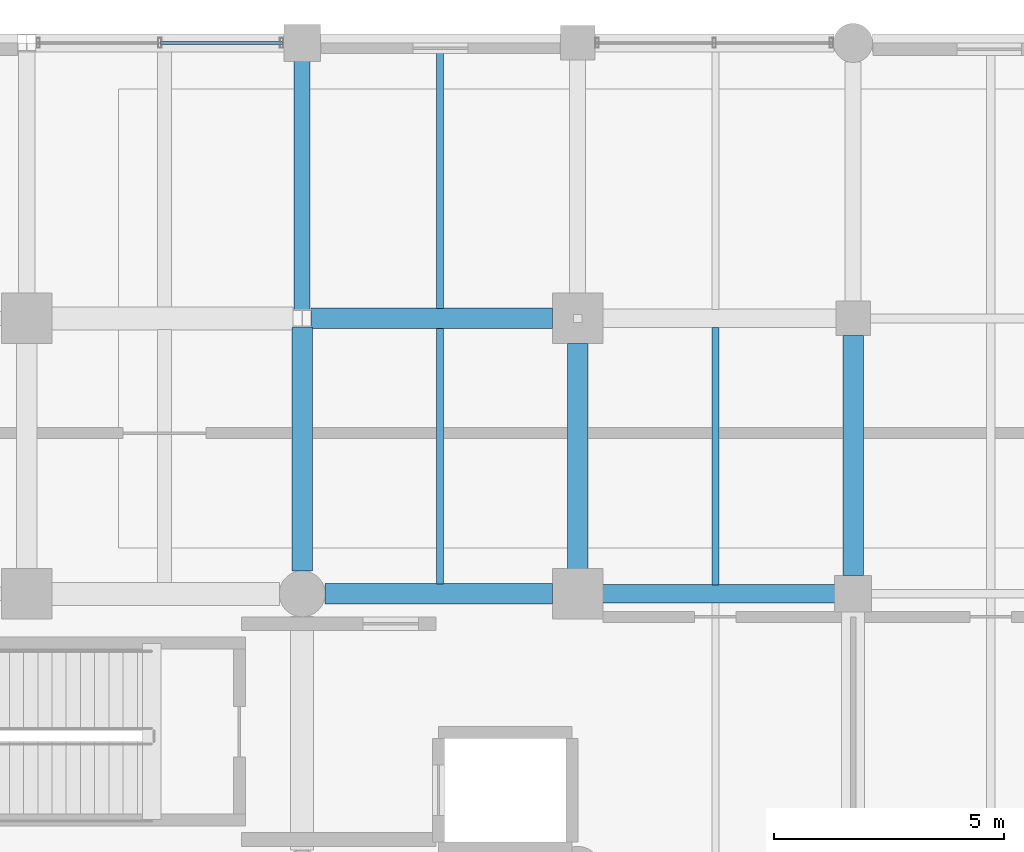
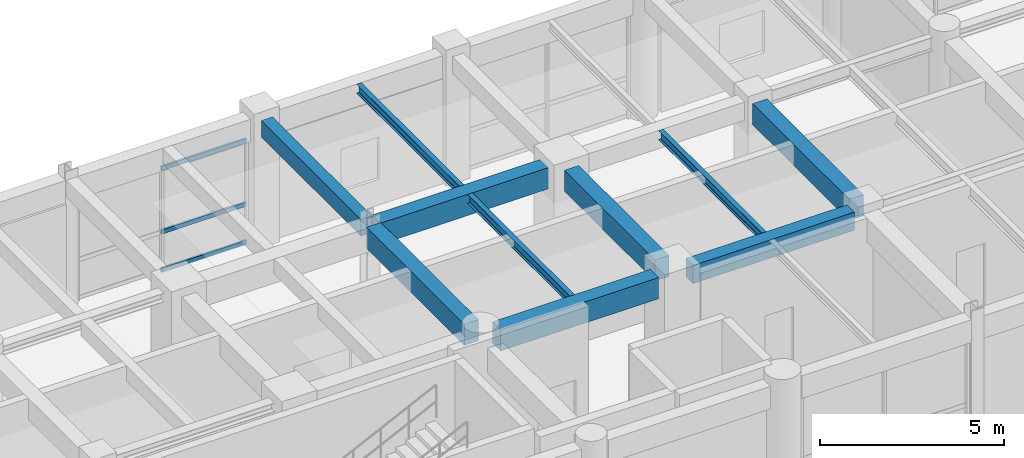
# One storey, part 54 of 133: 10 beams, 3 members, 1 element without a shape of its own.
"""IFC4 building model written with IfcOpenShell, lengths in metres."""

from ifc_helpers import new_model, si_unit, direction, frame, origin, origin_2d, place, context, subcontext, project, spatial, rectangle, hollow_rectangle, i_section, extrude, material, material_profile, profile_set, type_object, element, aggregate, save


model = new_model("IFC4")

# Units and contexts
model_context = context("Model", 3, precision=1e-05, world=origin(), true_north=direction((0.0, 1.0)))
body_context = subcontext(model_context, "Body", "Model", "MODEL_VIEW")
ifc_project = project(units=[si_unit("LENGTHUNIT", "METRE"), si_unit("AREAUNIT", "SQUARE_METRE"), si_unit("VOLUMEUNIT", "CUBIC_METRE"), si_unit("PLANEANGLEUNIT", "RADIAN"), si_unit("MASSUNIT", "GRAM", prefix="KILO"), si_unit("THERMODYNAMICTEMPERATUREUNIT", "KELVIN"), si_unit("POWERUNIT", "WATT")], contexts=[model_context])

# Site, building, storey
site_placement = place(None, origin())
site = spatial("IfcSite", under=ifc_project, at=site_placement, CompositionType="ELEMENT")
building_placement = place(site_placement, origin())
building = spatial("IfcBuilding", under=site, at=building_placement, Name="Phaisarnlok Congress Hotel", CompositionType="ELEMENT")
storey_placement = place(building_placement, frame((0.0, 0.0, 6.0)))
storey = spatial("IfcBuildingStorey", under=building, at=storey_placement, Name="L01", CompositionType="ELEMENT", Elevation=6.0)

# Beams
ifc_material_1 = material(Name="Concrete C40/50", Category="concrete")
ifc_material_profile_1 = material_profile(ifc_material_1, rectangle(XDim=0.35009765625, YDim=0.550048828125, at=origin_2d()), Name="RC 350x550")
ifc_profile_set_1 = profile_set([ifc_material_profile_1], Name="Concrete C40/50")
beam_type_1 = type_object("IfcBeamType", Name="BM-RC-350x550", PredefinedType="BEAM", material=ifc_profile_set_1)
beam_1_placement = place(storey_placement, frame((114.0, 120.194580078125, 3.945068359375), z_axis=(0.0, 1.0, 0.0), x_axis=(-1.0, 0.0, 0.0)))
element("IfcBeam", 1, at=beam_1_placement, inside=storey, type_object=beam_type_1, Name="Beam B-01", PredefinedType="BEAM", context=body_context, shape_type="SweptSolid", body=[
    extrude(rectangle(XDim=0.35009765625, YDim=0.550048828125, at=origin_2d()), origin(), (0.0, 0.0, 1.0), 5.410400390625),
])
ifc_material_profile_2 = material_profile(ifc_material_1, rectangle(XDim=0.39990234375, YDim=0.60009765625, at=origin_2d()), Name="RC 400x600")
ifc_profile_set_2 = profile_set([ifc_material_profile_2], Name="Concrete C40/50")
beam_type_2 = type_object("IfcBeamType", Name="BM-RC-400x600", PredefinedType="BEAM", material=ifc_profile_set_2)
beam_2_placement = place(storey_placement, frame((120.544921875, 114.0, 3.919921875), z_axis=(1.0, 0.0, 0.0), x_axis=(0.0, 1.0, 0.0)))
element("IfcBeam", 2, at=beam_2_placement, inside=storey, type_object=beam_type_2, Name="Beam B-02", PredefinedType="BEAM", context=body_context, shape_type="SweptSolid", body=[
    extrude(rectangle(XDim=0.39990234375, YDim=0.60009765625, at=origin_2d()), origin(), (0.0, 0.0, 1.0), 5.06005859375),
])
ifc_material_profile_3 = material_profile(ifc_material_1, rectangle(XDim=0.449951171875, YDim=0.699951171875, at=origin_2d()), Name="RC 450x700")
ifc_profile_set_3 = profile_set([ifc_material_profile_3], Name="Concrete C40/50")
beam_type_3 = type_object("IfcBeamType", Name="BM-RC-450x700", PredefinedType="BEAM", material=ifc_profile_set_3)
beam_3_placement = place(storey_placement, frame((114.4951171875, 114.0, 3.8701171875), z_axis=(1.0, 0.0, 0.0), x_axis=(0.0, 1.0, 0.0)))
element("IfcBeam", 3, at=beam_3_placement, inside=storey, type_object=beam_type_3, Name="Beam B-03", PredefinedType="BEAM", context=body_context, shape_type="SweptSolid", body=[
    extrude(rectangle(XDim=0.449951171875, YDim=0.699951171875, at=origin_2d()), origin(), (0.0, 0.0, 1.0), 4.9599609375),
])
beam_4_placement = place(storey_placement, frame((114.0, 114.4951171875, 3.8701171875), z_axis=(0.0, 1.0, 0.0), x_axis=(-1.0, 0.0, 0.0)))
element("IfcBeam", 4, at=beam_4_placement, inside=storey, type_object=beam_type_3, Name="Beam B-03", PredefinedType="BEAM", context=body_context, shape_type="SweptSolid", body=[
    extrude(rectangle(XDim=0.449951171875, YDim=0.699951171875, at=origin_2d()), origin(), (0.0, 0.0, 1.0), 5.310302734375),
])
beam_5_placement = place(storey_placement, frame((114.195556640625, 120.0, 3.8701171875), z_axis=(1.0, 0.0, 0.0), x_axis=(0.0, 1.0, 0.0)))
element("IfcBeam", 5, at=beam_5_placement, inside=storey, type_object=beam_type_3, Name="Beam B-03", PredefinedType="BEAM", context=body_context, shape_type="SweptSolid", body=[
    extrude(rectangle(XDim=0.449951171875, YDim=0.699951171875, at=origin_2d()), origin(), (0.0, 0.0, 1.0), 5.259521484375),
])
beam_6_placement = place(storey_placement, frame((120.0, 114.544921875, 3.8701171875), z_axis=(0.0, 1.0, 0.0), x_axis=(-1.0, 0.0, 0.0)))
element("IfcBeam", 6, at=beam_6_placement, inside=storey, type_object=beam_type_3, Name="Beam B-03", PredefinedType="BEAM", context=body_context, shape_type="SweptSolid", body=[
    extrude(rectangle(XDim=0.449951171875, YDim=0.699951171875, at=origin_2d()), origin(), (0.0, 0.0, 1.0), 4.91015625),
])
beam_7_placement = place(storey_placement, frame((126.0, 114.39501953125, 3.8701171875), z_axis=(0.0, 1.0, 0.0), x_axis=(-1.0, 0.0, 0.0)))
element("IfcBeam", 7, at=beam_7_placement, inside=storey, type_object=beam_type_3, Name="Beam B-03", PredefinedType="BEAM", context=body_context, shape_type="SweptSolid", body=[
    extrude(rectangle(XDim=0.449951171875, YDim=0.699951171875, at=origin_2d()), origin(), (0.0, 0.0, 1.0), 5.23486328125),
])

# Curtain wall, members
ifc_material_2 = material(Name="Thermally Broken Unitised Aluminium & Low-E Glazing", Category="aluminium")
curtain_wall_type = type_object("IfcCurtainWallType", Name="CW-UNIT-14", PredefinedType="NOTDEFINED", material=ifc_material_2)
curtain_wall_placement = place(storey_placement, origin())
curtain_wall = element("IfcCurtainWall", 8, at=curtain_wall_placement, inside=storey, type_object=curtain_wall_type, Name="Unitised curtain wall CW-14 (L01)", PredefinedType="NOTDEFINED")
ifc_material_3 = material(Name="Anodised Aluminium Alloy 6063-T6", Category="aluminium")
ifc_material_profile_4 = material_profile(ifc_material_3, hollow_rectangle(XDim=0.06494140625, YDim=0.139892578125, WallThickness=0.00390625, at=origin_2d()), Name="ALU-T 65x140x4")
ifc_profile_set_4 = profile_set([ifc_material_profile_4], Name="Anodised Aluminium Alloy 6063-T6")
member_type = type_object("IfcMemberType", Name="CWT-150", PredefinedType="USERDEFINED", material=ifc_profile_set_4)
member_1_placement = place(storey_placement, frame((113.574951171875, 126.0, 0.050048828125), z_axis=(-1.0, 0.0, 0.0), x_axis=(0.0, -1.0, 0.0)))
member_1 = element("IfcMember", 9, at=member_1_placement, type_object=member_type, Name="Curtain wall transom CWT-01", ObjectType="TRANSOM", PredefinedType="USERDEFINED", context=body_context, shape_type="SweptSolid", body=[
    extrude(hollow_rectangle(XDim=0.06494140625, YDim=0.139892578125, WallThickness=0.00390625, at=origin_2d()), origin(), (0.0, 0.0, 1.0), 2.65966796875),
])
member_2_placement = place(storey_placement, frame((113.574951171875, 126.0, 1.318603515625), z_axis=(-1.0, 0.0, 0.0), x_axis=(0.0, -1.0, 0.0)))
member_2 = element("IfcMember", 10, at=member_2_placement, type_object=member_type, Name="Curtain wall transom CWT-01", ObjectType="TRANSOM", PredefinedType="USERDEFINED", context=body_context, shape_type="SweptSolid", body=[
    extrude(hollow_rectangle(XDim=0.06494140625, YDim=0.139892578125, WallThickness=0.00390625, at=origin_2d()), origin(), (0.0, 0.0, 1.0), 2.65966796875),
])
member_3_placement = place(storey_placement, frame((113.574951171875, 126.0, 3.419921875), z_axis=(-1.0, 0.0, 0.0), x_axis=(0.0, -1.0, 0.0)))
member_3 = element("IfcMember", 11, at=member_3_placement, type_object=member_type, Name="Curtain wall transom CWT-01", ObjectType="TRANSOM", PredefinedType="USERDEFINED", context=body_context, shape_type="SweptSolid", body=[
    extrude(hollow_rectangle(XDim=0.06494140625, YDim=0.139892578125, WallThickness=0.00390625, at=origin_2d()), origin(), (0.0, 0.0, 1.0), 2.65966796875),
])
aggregate(curtain_wall, [member_1, member_2, member_3])

# Beams
ifc_material_4 = material(Name="Steel S355", Category="steel")
ifc_material_profile_5 = material_profile(ifc_material_4, i_section(OverallWidth=0.14990234375, OverallDepth=0.300048828125, WebThickness=0.007080078125, FlangeThickness=0.0107421875, FilletRadius=0.014892578125, at=origin_2d()), Name="IPE 300")
ifc_profile_set_5 = profile_set([ifc_material_profile_5], Name="Steel S355")
beam_type_4 = type_object("IfcBeamType", Name="JS-STL-IPE300", PredefinedType="JOIST", material=ifc_profile_set_5)
beam_8_placement = place(storey_placement, frame((117.0, 114.219970703125, 4.070068359375), z_axis=(0.0, 1.0, 0.0), x_axis=(-1.0, 0.0, 0.0)))
element("IfcBeam", 12, at=beam_8_placement, inside=storey, type_object=beam_type_4, Name="Secondary floor joist J-03", PredefinedType="JOIST", context=body_context, shape_type="SweptSolid", body=[
    extrude(i_section(OverallWidth=0.14990234375, OverallDepth=0.300048828125, WebThickness=0.007080078125, FlangeThickness=0.0107421875, FilletRadius=0.014892578125, at=origin_2d()), origin(), (0.0, 0.0, 1.0), 5.56005859375),
])
beam_9_placement = place(storey_placement, frame((117.0, 120.219970703125, 4.070068359375), z_axis=(0.0, 1.0, 0.0), x_axis=(-1.0, 0.0, 0.0)))
element("IfcBeam", 13, at=beam_9_placement, inside=storey, type_object=beam_type_4, Name="Secondary floor joist J-03", PredefinedType="JOIST", context=body_context, shape_type="SweptSolid", body=[
    extrude(i_section(OverallWidth=0.14990234375, OverallDepth=0.300048828125, WebThickness=0.007080078125, FlangeThickness=0.0107421875, FilletRadius=0.014892578125, at=origin_2d()), origin(), (0.0, 0.0, 1.0), 5.5849609375),
])
beam_10_placement = place(storey_placement, frame((123.0, 114.195068359375, 4.070068359375), z_axis=(0.0, 1.0, 0.0), x_axis=(-1.0, 0.0, 0.0)))
element("IfcBeam", 14, at=beam_10_placement, inside=storey, type_object=beam_type_4, Name="Secondary floor joist J-03", PredefinedType="JOIST", context=body_context, shape_type="SweptSolid", body=[
    extrude(i_section(OverallWidth=0.14990234375, OverallDepth=0.300048828125, WebThickness=0.007080078125, FlangeThickness=0.0107421875, FilletRadius=0.014892578125, at=origin_2d()), origin(), (0.0, 0.0, 1.0), 5.60986328125),
])

save(model, "model.ifc")
